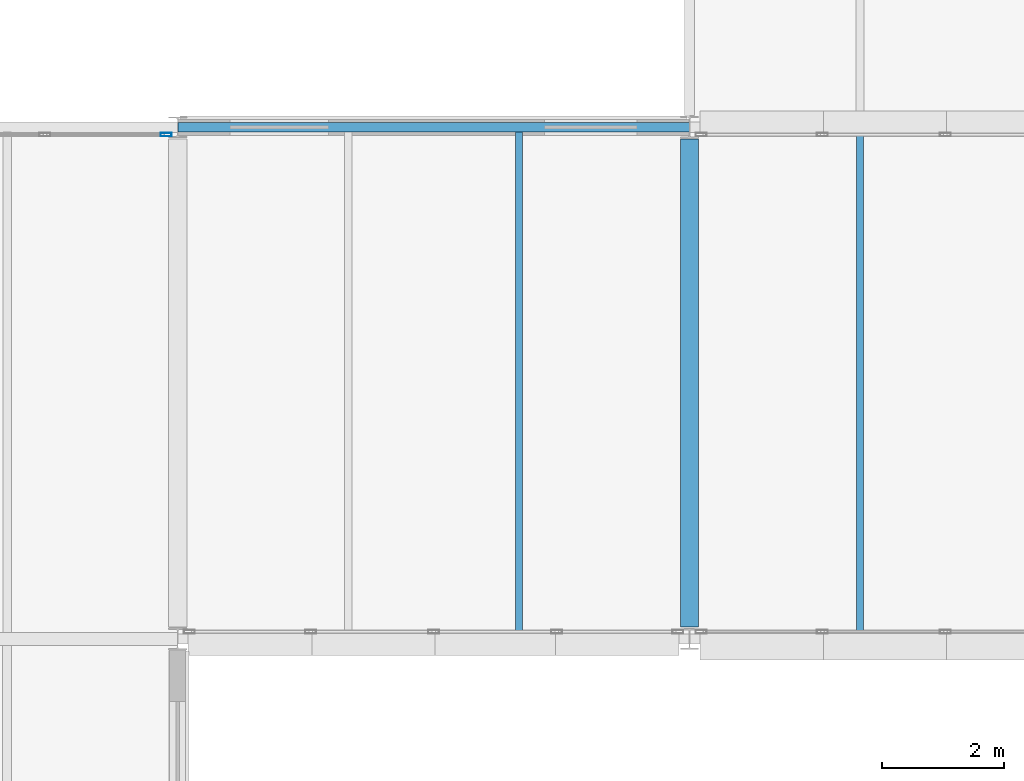
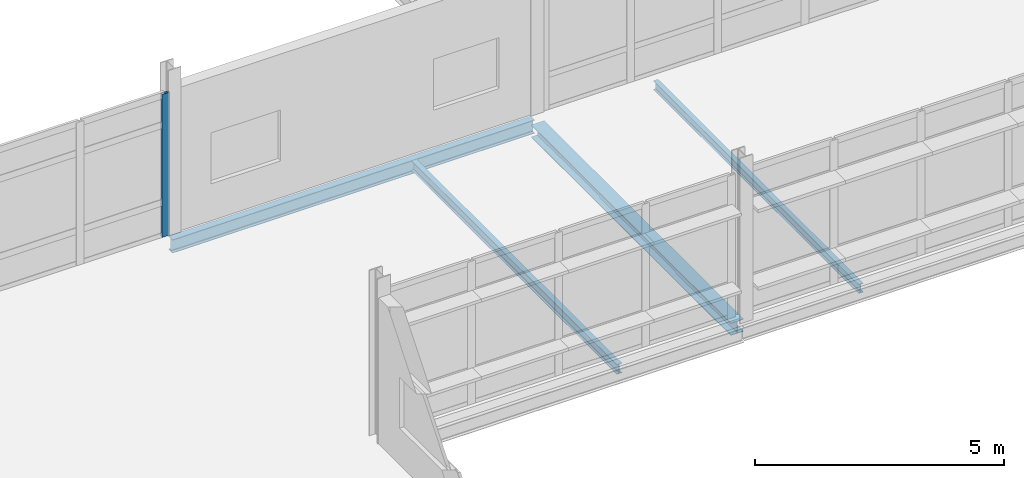
# One storey, part 42 of 131: 4 beams, 1 member, 1 element without a shape of its own.
"""IFC4 building model written with IfcOpenShell, lengths in metres."""

import ifcopenshell
import ifcopenshell.guid

model = None  # the IFC model being written
_history = None  # IfcOwnerHistory: only IFC2X3 demands one
_inside = {}  # id of a spatial element -> (the spatial element, [elements in it])
_under = {}  # id of a project, library or spatial element -> (it, [spatial elements below it])
_declared = {}  # id of a project -> (the project, [libraries it declares])
_typed = {}  # id of a type object -> (the type object, [elements of that type])
_made_of = {}  # id of a material, layer set ... -> (it, [elements and type objects made of it])


def new_model(schema):
    """Start an empty IFC model of exactly this schema.

    Asked for "IFC4X3", IfcOpenShell would pick the latest addendum, in which some entities
    have other attributes; the version numbers below select the first issue.
    IFC2X3 requires an IfcOwnerHistory on every rooted entity: one is made here for all.
    """
    global model, _history
    if schema == "IFC4X3":
        model = ifcopenshell.file(schema_version=(4, 3, 0, 0))
    else:
        model = ifcopenshell.file(schema=schema)
    _inside.clear()
    _under.clear()
    _declared.clear()
    _typed.clear()
    _made_of.clear()
    _history = None
    if model.schema == "IFC2X3":
        org = make("IfcOrganization", Name="unknown")
        user = make(
            "IfcPersonAndOrganization",
            ThePerson=make("IfcPerson", FamilyName="unknown"),
            TheOrganization=org,
        )
        app = make(
            "IfcApplication",
            ApplicationDeveloper=org,
            Version="unknown",
            ApplicationFullName="unknown",
            ApplicationIdentifier="unknown",
        )
        _history = make(
            "IfcOwnerHistory",
            OwningUser=user,
            OwningApplication=app,
            ChangeAction="ADDED",
            CreationDate=0,
        )
    return model


def make(cls, **values):
    """One entity of the class cls with the attributes given. An attribute that is None is left unset."""
    return model.create_entity(
        cls, **{name: value for name, value in values.items() if value is not None}
    )


def rooted(cls, **values):
    """An entity with a GlobalId (a new one), such as an element, a storey or a relation."""
    return make(cls, GlobalId=ifcopenshell.guid.new(), OwnerHistory=_history, **values)


def si_unit(unit_type, name, prefix=None):
    """IfcSIUnit, for example si_unit("LENGTHUNIT", "METRE", prefix="MILLI")."""
    return make("IfcSIUnit", UnitType=unit_type, Prefix=prefix, Name=name)


def assignment(units):
    """IfcUnitAssignment: the units of a project."""
    return None if units is None else make("IfcUnitAssignment", Units=units)


def point(xyz):
    """IfcCartesianPoint."""
    return None if xyz is None else make("IfcCartesianPoint", Coordinates=xyz)


def direction(xyz):
    """IfcDirection."""
    return None if xyz is None else make("IfcDirection", DirectionRatios=xyz)


def frame(location, z_axis=None, x_axis=None):
    """IfcAxis2Placement3D, a coordinate frame: its origin and axes. An axis left out is left unset."""
    return make(
        "IfcAxis2Placement3D",
        Location=point(location),
        Axis=direction(z_axis),
        RefDirection=direction(x_axis),
    )


def frame_2d(location, x_axis=None):
    """IfcAxis2Placement2D, a coordinate frame in the plane: its origin and x axis."""
    return make(
        "IfcAxis2Placement2D", Location=point(location), RefDirection=direction(x_axis)
    )


def origin():
    """The frame at (0, 0, 0) with its axes left unset."""
    return frame((0.0, 0.0, 0.0))


def origin_2d():
    """The frame at (0, 0) in the plane with its x axis left unset."""
    return frame_2d((0.0, 0.0))


def place(relative_to, where):
    """IfcLocalPlacement: puts the frame where relative to a parent placement (None: the world)."""
    return make(
        "IfcLocalPlacement", PlacementRelTo=relative_to, RelativePlacement=where
    )


def context(
    kind, dimensions, precision=None, world=None, true_north=None, identifier=None
):
    """IfcGeometricRepresentationContext, for example the 3D "Model" context."""
    return make(
        "IfcGeometricRepresentationContext",
        ContextIdentifier=identifier,
        ContextType=kind,
        CoordinateSpaceDimension=dimensions,
        Precision=precision,
        WorldCoordinateSystem=world,
        TrueNorth=true_north,
    )


def subcontext(parent, identifier, kind, view, scale=None):
    """IfcGeometricRepresentationSubContext, for example "Body" below "Model"."""
    return make(
        "IfcGeometricRepresentationSubContext",
        ContextIdentifier=identifier,
        ContextType=kind,
        ParentContext=parent,
        TargetScale=scale,
        TargetView=view,
    )


def project(units=None, contexts=None):
    """IfcProject with its units and contexts."""
    return rooted(
        "IfcProject",
        Name="project",
        RepresentationContexts=contexts,
        UnitsInContext=assignment(units),
    )


def spatial(cls, under=None, at=None, **own):
    """A site, building, storey or space (cls), placed at a placement, below another one or the project."""
    s = rooted(cls, ObjectPlacement=at, **own)
    if under is not None:
        _under.setdefault(under.id(), (under, []))[1].append(s)
    return s


def profile(cls, at=None, kind="AREA", **sizes):
    """A parametric profile (cls). Its sizes go by their IFC names, for example OverallWidth=200.0."""
    return make(cls, ProfileType=kind, Position=at, **sizes)


def hollow_rectangle(**sizes):
    """IfcRectangleHollowProfileDef."""
    return profile("IfcRectangleHollowProfileDef", **sizes)


def i_section(**sizes):
    """IfcIShapeProfileDef."""
    return profile("IfcIShapeProfileDef", **sizes)


def extrude(swept, where, along, depth):
    """IfcExtrudedAreaSolid: the profile swept, set in the frame where, extruded along a direction by depth."""
    return make(
        "IfcExtrudedAreaSolid",
        SweptArea=swept,
        Position=where,
        ExtrudedDirection=direction(along),
        Depth=depth,
    )


def shape(context_of_items, identifier, shape_type, items):
    """IfcShapeRepresentation: the items that make up one representation, for example the "Body"."""
    return make(
        "IfcShapeRepresentation",
        ContextOfItems=context_of_items,
        RepresentationIdentifier=identifier,
        RepresentationType=shape_type,
        Items=items,
    )


def material(Name=None, Category=None):
    """IfcMaterial."""
    return make("IfcMaterial", Name=Name, Category=Category)


def material_profile(
    of_material, cross_section, Name=None, Category=None, Priority=None
):
    """IfcMaterialProfile: a cross section and its material."""
    return make(
        "IfcMaterialProfile",
        Name=Name,
        Material=of_material,
        Profile=cross_section,
        Priority=Priority,
        Category=Category,
    )


def profile_set(profiles, Name=None, composite=None):
    """IfcMaterialProfileSet."""
    return make(
        "IfcMaterialProfileSet",
        Name=Name,
        MaterialProfiles=profiles,
        CompositeProfile=composite,
    )


def made_of(thing, what):
    """Note that an element or type object is made of a material, layer set ...; save() writes the relation."""
    if what is not None:
        _made_of.setdefault(what.id(), (what, []))[1].append(thing)
    return thing


def type_object(cls, material=None, **own):
    """A type object (cls), such as IfcWallType, which elements share."""
    return made_of(rooted(cls, **own), material)


def element(
    cls,
    number,
    at=None,
    inside=None,
    cuts=None,
    type_object=None,
    material=None,
    context=None,
    identifier="Body",
    shape_type=None,
    held_by="IfcProductDefinitionShape",
    body=None,
    shapes=None,
    **own,
):
    """One element of the class cls, such as IfcWall. Its Tag is "e" and its number.

    at: its placement. inside: the storey or other place that contains it. cuts: it is an
    opening in that element (IfcRelVoidsElement). A single representation is given by context,
    identifier, shape_type and body (its items); several are given by shapes. held_by: the class
    of the entity that holds the representations. save() writes the other relations.
    """
    e = rooted(cls, Tag="e%d" % number, ObjectPlacement=at, **own)
    if body is not None:
        shapes = [shape(context, identifier, shape_type, body)]
    if shapes is not None:
        e.Representation = make(held_by, Representations=shapes)
    if inside is not None:
        _inside.setdefault(inside.id(), (inside, []))[1].append(e)
    if cuts is not None:
        rooted(
            "IfcRelVoidsElement", RelatingBuildingElement=cuts, RelatedOpeningElement=e
        )
    if type_object is not None:
        _typed.setdefault(type_object.id(), (type_object, []))[1].append(e)
    return made_of(e, material)


def aggregate(whole, parts):
    """IfcRelAggregates: a whole, such as a stair, and the parts it consists of."""
    return rooted("IfcRelAggregates", RelatingObject=whole, RelatedObjects=parts)


def save(model, path):
    """Write the relations noted so far, then the file.

    IfcRelAggregates (storeys below a building ...), IfcRelContainedInSpatialStructure (elements
    in a storey), IfcRelDefinesByType, IfcRelAssociatesMaterial and IfcRelDeclares: one each for
    every whole, place, type object, material and project.
    """
    for whole, parts in _under.values():
        aggregate(whole, parts)
    for where, things in _inside.values():
        rooted(
            "IfcRelContainedInSpatialStructure",
            RelatedElements=things,
            RelatingStructure=where,
        )
    for kind, things in _typed.values():
        rooted("IfcRelDefinesByType", RelatedObjects=things, RelatingType=kind)
    for what, things in _made_of.values():
        rooted("IfcRelAssociatesMaterial", RelatedObjects=things, RelatingMaterial=what)
    for by, libraries in _declared.values():
        rooted("IfcRelDeclares", RelatingContext=by, RelatedDefinitions=libraries)
    model.write(path)


model = new_model("IFC4")

# Units and contexts
model_context = context("Model", 3, precision=1e-05, world=origin(), true_north=direction((0.0, 1.0)))
body_context = subcontext(model_context, "Body", "Model", "MODEL_VIEW")
ifc_project = project(units=[si_unit("LENGTHUNIT", "METRE"), si_unit("AREAUNIT", "SQUARE_METRE"), si_unit("VOLUMEUNIT", "CUBIC_METRE"), si_unit("PLANEANGLEUNIT", "RADIAN"), si_unit("MASSUNIT", "GRAM", prefix="KILO")], contexts=[model_context])

# Site, building, storey
site_placement = place(None, origin())
site = spatial("IfcSite", under=ifc_project, at=site_placement, CompositionType="ELEMENT")
building_placement = place(site_placement, origin())
building = spatial("IfcBuilding", under=site, at=building_placement, Name="Mersafa Astral City Hall", CompositionType="ELEMENT")
storey_placement = place(building_placement, frame((0.0, 0.0, 13.949951171875)))
storey = spatial("IfcBuildingStorey", under=building, at=storey_placement, Name="L03", CompositionType="ELEMENT", Elevation=13.949951171875)

# Curtain wall, member
ifc_material_1 = material(Name="Anodised bronze aluminium framing", Category="aluminium")
curtain_wall_type = type_object("IfcCurtainWallType", Name="ENV-CW-5", PredefinedType="USERDEFINED", material=ifc_material_1)
curtain_wall_placement = place(storey_placement, origin())
curtain_wall = element("IfcCurtainWall", 1, at=curtain_wall_placement, inside=storey, type_object=curtain_wall_type, Name="L03 Unitised solar curtain wall 172", ObjectType="UNITISED CURTAIN WALL", PredefinedType="USERDEFINED")
ifc_material_profile_1 = material_profile(ifc_material_1, hollow_rectangle(XDim=0.06005859375, YDim=0.179931640625, WallThickness=0.00390625, at=origin_2d()), Name="RHS 60x180x4")
ifc_profile_set_1 = profile_set([ifc_material_profile_1], Name="Anodised bronze aluminium framing")
member_type = type_object("IfcMemberType", Name="ENV-CW-MUL-1", PredefinedType="MULLION", material=ifc_profile_set_1)
member_placement = place(storey_placement, frame((25.008056640625, 100.679931640625, -0.001953125), z_axis=(0.0, 0.0, 1.0), x_axis=(0.0, -1.0, 0.0)))
member = element("IfcMember", 2, at=member_placement, type_object=member_type, Name="CW-5 mullion 1", PredefinedType="MULLION", context=body_context, shape_type="SweptSolid", body=[
    extrude(hollow_rectangle(XDim=0.06005859375, YDim=0.179931640625, WallThickness=0.00390625, at=origin_2d()), origin(), (0.0, 0.0, 1.0), 3.50390625),
])
aggregate(curtain_wall, [member])

# Beams
ifc_material_2 = material(Name="Steel S355", Category="steel")
ifc_material_profile_2 = material_profile(ifc_material_2, i_section(OverallWidth=0.300048828125, OverallDepth=0.31005859375, WebThickness=0.009033203125, FlangeThickness=0.015380859375, FilletRadius=0.027099609375, at=origin_2d()), Name="HEA 320")
ifc_profile_set_2 = profile_set([ifc_material_profile_2], Name="Steel S355")
beam_type_1 = type_object("IfcBeamType", Name="STR-BM-HEA320", PredefinedType="BEAM", material=ifc_profile_set_2)
beam_1_placement = place(storey_placement, frame((33.60009765625, 92.594970703125, -0.35498046875), z_axis=(0.0, 1.0, 0.0), x_axis=(-1.0, 0.0, 0.0)))
element("IfcBeam", 3, at=beam_1_placement, inside=storey, type_object=beam_type_1, Name="L03 Primary girder Y 4-11", PredefinedType="BEAM", context=body_context, shape_type="SweptSolid", body=[
    extrude(i_section(OverallWidth=0.300048828125, OverallDepth=0.31005859375, WebThickness=0.009033203125, FlangeThickness=0.015380859375, FilletRadius=0.027099609375, at=origin_2d()), origin(), (0.0, 0.0, 1.0), 8.010009765625),
])
ifc_material_profile_3 = material_profile(ifc_material_2, i_section(OverallWidth=0.110107421875, OverallDepth=0.219970703125, WebThickness=0.005859375, FlangeThickness=0.00927734375, FilletRadius=0.011962890625, at=origin_2d()), Name="IPE 220")
ifc_profile_set_3 = profile_set([ifc_material_profile_3], Name="Steel S355")
beam_type_2 = type_object("IfcBeamType", Name="STR-BM-JOIST-IPE220", PredefinedType="JOIST", material=ifc_profile_set_3)
beam_2_placement = place(storey_placement, frame((36.39990234375, 92.47509765625, -0.31005859375), z_axis=(0.0, 1.0, 0.0), x_axis=(-1.0, 0.0, 0.0)))
element("IfcBeam", 4, at=beam_2_placement, inside=storey, type_object=beam_type_2, Name="L03 Composite secondary floor joist 564", PredefinedType="JOIST", context=body_context, shape_type="SweptSolid", body=[
    extrude(i_section(OverallWidth=0.110107421875, OverallDepth=0.219970703125, WebThickness=0.005859375, FlangeThickness=0.00927734375, FilletRadius=0.011962890625, at=origin_2d()), origin(), (0.0, 0.0, 1.0), 8.244873046875),
])
ifc_material_profile_4 = material_profile(ifc_material_2, i_section(OverallWidth=0.1201171875, OverallDepth=0.239990234375, WebThickness=0.006103515625, FlangeThickness=0.009765625, FilletRadius=0.014892578125, at=origin_2d()), Name="IPE 240")
ifc_profile_set_4 = profile_set([ifc_material_profile_4], Name="Steel S355")
beam_type_3 = type_object("IfcBeamType", Name="STR-BM-JOIST-IPE240", PredefinedType="JOIST", material=ifc_profile_set_4)
beam_3_placement = place(storey_placement, frame((30.800048828125, 92.47998046875, -0.320068359375), z_axis=(0.0, 1.0, 0.0), x_axis=(-1.0, 0.0, 0.0)))
element("IfcBeam", 5, at=beam_3_placement, inside=storey, type_object=beam_type_3, Name="L03 Composite secondary floor joist 563", PredefinedType="JOIST", context=body_context, shape_type="SweptSolid", body=[
    extrude(i_section(OverallWidth=0.1201171875, OverallDepth=0.239990234375, WebThickness=0.006103515625, FlangeThickness=0.009765625, FilletRadius=0.014892578125, at=origin_2d()), origin(), (0.0, 0.0, 1.0), 8.2451171875),
])
ifc_material_profile_5 = material_profile(ifc_material_2, i_section(OverallWidth=0.159912109375, OverallDepth=0.330078125, WebThickness=0.007568359375, FlangeThickness=0.011474609375, FilletRadius=0.01806640625, at=origin_2d()), Name="IPE 330")
ifc_profile_set_5 = profile_set([ifc_material_profile_5], Name="Steel S355")
beam_type_4 = type_object("IfcBeamType", Name="STR-BM-SPANDREL-IPE330", PredefinedType="SPANDREL", material=ifc_profile_set_5)
beam_4_placement = place(storey_placement, frame((25.202880859375, 100.800048828125, -0.364990234375), z_axis=(1.0, 0.0, 0.0), x_axis=(0.0, 1.0, 0.0)))
element("IfcBeam", 6, at=beam_4_placement, inside=storey, type_object=beam_type_4, Name="L03 Primary girder X 3-12", PredefinedType="SPANDREL", context=body_context, shape_type="SweptSolid", body=[
    extrude(i_section(OverallWidth=0.159912109375, OverallDepth=0.330078125, WebThickness=0.007568359375, FlangeThickness=0.011474609375, FilletRadius=0.01806640625, at=origin_2d()), origin(), (0.0, 0.0, 1.0), 8.39404296875),
])

save(model, "model.ifc")
